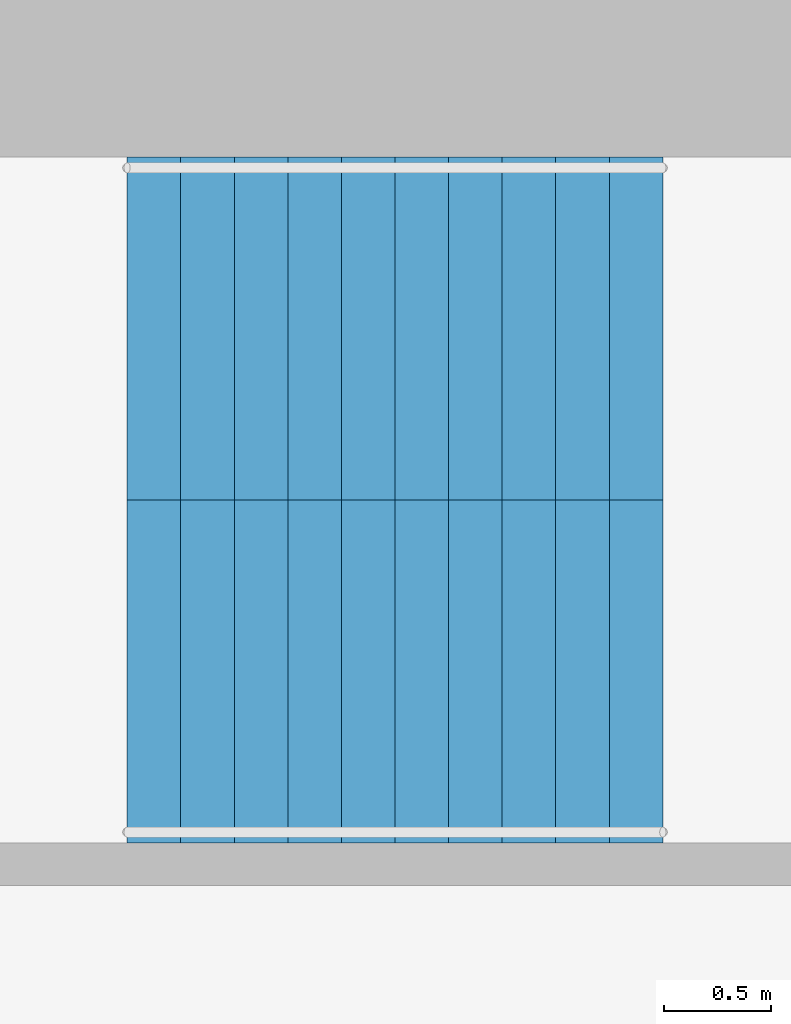
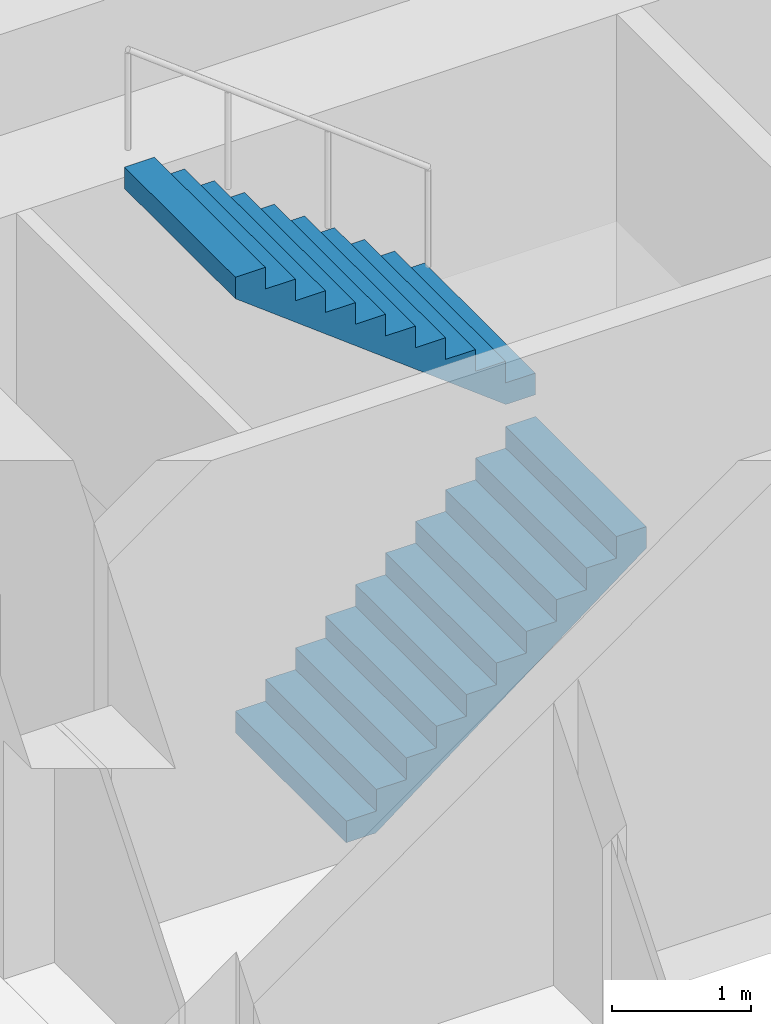
# One storey, part 9 of 17: 2 stair flights, 1 element without a shape of its own.
"""IFC4 building model written with IfcOpenShell, lengths in metres."""

import ifcopenshell
import ifcopenshell.guid

model = None  # the IFC model being written
_history = None  # IfcOwnerHistory: only IFC2X3 demands one
_inside = {}  # id of a spatial element -> (the spatial element, [elements in it])
_under = {}  # id of a project, library or spatial element -> (it, [spatial elements below it])
_declared = {}  # id of a project -> (the project, [libraries it declares])
_typed = {}  # id of a type object -> (the type object, [elements of that type])
_made_of = {}  # id of a material, layer set ... -> (it, [elements and type objects made of it])


def new_model(schema):
    """Start an empty IFC model of exactly this schema.

    Asked for "IFC4X3", IfcOpenShell would pick the latest addendum, in which some entities
    have other attributes; the version numbers below select the first issue.
    IFC2X3 requires an IfcOwnerHistory on every rooted entity: one is made here for all.
    """
    global model, _history
    if schema == "IFC4X3":
        model = ifcopenshell.file(schema_version=(4, 3, 0, 0))
    else:
        model = ifcopenshell.file(schema=schema)
    _inside.clear()
    _under.clear()
    _declared.clear()
    _typed.clear()
    _made_of.clear()
    _history = None
    if model.schema == "IFC2X3":
        org = make("IfcOrganization", Name="unknown")
        user = make(
            "IfcPersonAndOrganization",
            ThePerson=make("IfcPerson", FamilyName="unknown"),
            TheOrganization=org,
        )
        app = make(
            "IfcApplication",
            ApplicationDeveloper=org,
            Version="unknown",
            ApplicationFullName="unknown",
            ApplicationIdentifier="unknown",
        )
        _history = make(
            "IfcOwnerHistory",
            OwningUser=user,
            OwningApplication=app,
            ChangeAction="ADDED",
            CreationDate=0,
        )
    return model


def make(cls, **values):
    """One entity of the class cls with the attributes given. An attribute that is None is left unset."""
    return model.create_entity(
        cls, **{name: value for name, value in values.items() if value is not None}
    )


def rooted(cls, **values):
    """An entity with a GlobalId (a new one), such as an element, a storey or a relation."""
    return make(cls, GlobalId=ifcopenshell.guid.new(), OwnerHistory=_history, **values)


def si_unit(unit_type, name, prefix=None):
    """IfcSIUnit, for example si_unit("LENGTHUNIT", "METRE", prefix="MILLI")."""
    return make("IfcSIUnit", UnitType=unit_type, Prefix=prefix, Name=name)


def assignment(units):
    """IfcUnitAssignment: the units of a project."""
    return None if units is None else make("IfcUnitAssignment", Units=units)


def point(xyz):
    """IfcCartesianPoint."""
    return None if xyz is None else make("IfcCartesianPoint", Coordinates=xyz)


def direction(xyz):
    """IfcDirection."""
    return None if xyz is None else make("IfcDirection", DirectionRatios=xyz)


def frame(location, z_axis=None, x_axis=None):
    """IfcAxis2Placement3D, a coordinate frame: its origin and axes. An axis left out is left unset."""
    return make(
        "IfcAxis2Placement3D",
        Location=point(location),
        Axis=direction(z_axis),
        RefDirection=direction(x_axis),
    )


def origin():
    """The frame at (0, 0, 0) with its axes left unset."""
    return frame((0.0, 0.0, 0.0))


def place(relative_to, where):
    """IfcLocalPlacement: puts the frame where relative to a parent placement (None: the world)."""
    return make(
        "IfcLocalPlacement", PlacementRelTo=relative_to, RelativePlacement=where
    )


def context(
    kind, dimensions, precision=None, world=None, true_north=None, identifier=None
):
    """IfcGeometricRepresentationContext, for example the 3D "Model" context."""
    return make(
        "IfcGeometricRepresentationContext",
        ContextIdentifier=identifier,
        ContextType=kind,
        CoordinateSpaceDimension=dimensions,
        Precision=precision,
        WorldCoordinateSystem=world,
        TrueNorth=true_north,
    )


def subcontext(parent, identifier, kind, view, scale=None):
    """IfcGeometricRepresentationSubContext, for example "Body" below "Model"."""
    return make(
        "IfcGeometricRepresentationSubContext",
        ContextIdentifier=identifier,
        ContextType=kind,
        ParentContext=parent,
        TargetScale=scale,
        TargetView=view,
    )


def project(units=None, contexts=None):
    """IfcProject with its units and contexts."""
    return rooted(
        "IfcProject",
        Name="project",
        RepresentationContexts=contexts,
        UnitsInContext=assignment(units),
    )


def spatial(cls, under=None, at=None, **own):
    """A site, building, storey or space (cls), placed at a placement, below another one or the project."""
    s = rooted(cls, ObjectPlacement=at, **own)
    if under is not None:
        _under.setdefault(under.id(), (under, []))[1].append(s)
    return s


def polyline(points):
    """IfcPolyline through the points."""
    return make("IfcPolyline", Points=[point(p) for p in points])


def outline(outer, holes=None, kind="AREA"):
    """IfcArbitraryClosedProfileDef: a profile drawn as a closed curve; with holes, ...WithVoids."""
    if holes is None:
        return make("IfcArbitraryClosedProfileDef", ProfileType=kind, OuterCurve=outer)
    return make(
        "IfcArbitraryProfileDefWithVoids",
        ProfileType=kind,
        OuterCurve=outer,
        InnerCurves=holes,
    )


def extrude(swept, where, along, depth):
    """IfcExtrudedAreaSolid: the profile swept, set in the frame where, extruded along a direction by depth."""
    return make(
        "IfcExtrudedAreaSolid",
        SweptArea=swept,
        Position=where,
        ExtrudedDirection=direction(along),
        Depth=depth,
    )


def shape(context_of_items, identifier, shape_type, items):
    """IfcShapeRepresentation: the items that make up one representation, for example the "Body"."""
    return make(
        "IfcShapeRepresentation",
        ContextOfItems=context_of_items,
        RepresentationIdentifier=identifier,
        RepresentationType=shape_type,
        Items=items,
    )


def material(Name=None, Category=None):
    """IfcMaterial."""
    return make("IfcMaterial", Name=Name, Category=Category)


def made_of(thing, what):
    """Note that an element or type object is made of a material, layer set ...; save() writes the relation."""
    if what is not None:
        _made_of.setdefault(what.id(), (what, []))[1].append(thing)
    return thing


def type_object(cls, material=None, **own):
    """A type object (cls), such as IfcWallType, which elements share."""
    return made_of(rooted(cls, **own), material)


def element(
    cls,
    number,
    at=None,
    inside=None,
    cuts=None,
    type_object=None,
    material=None,
    context=None,
    identifier="Body",
    shape_type=None,
    held_by="IfcProductDefinitionShape",
    body=None,
    shapes=None,
    **own,
):
    """One element of the class cls, such as IfcWall. Its Tag is "e" and its number.

    at: its placement. inside: the storey or other place that contains it. cuts: it is an
    opening in that element (IfcRelVoidsElement). A single representation is given by context,
    identifier, shape_type and body (its items); several are given by shapes. held_by: the class
    of the entity that holds the representations. save() writes the other relations.
    """
    e = rooted(cls, Tag="e%d" % number, ObjectPlacement=at, **own)
    if body is not None:
        shapes = [shape(context, identifier, shape_type, body)]
    if shapes is not None:
        e.Representation = make(held_by, Representations=shapes)
    if inside is not None:
        _inside.setdefault(inside.id(), (inside, []))[1].append(e)
    if cuts is not None:
        rooted(
            "IfcRelVoidsElement", RelatingBuildingElement=cuts, RelatedOpeningElement=e
        )
    if type_object is not None:
        _typed.setdefault(type_object.id(), (type_object, []))[1].append(e)
    return made_of(e, material)


def aggregate(whole, parts):
    """IfcRelAggregates: a whole, such as a stair, and the parts it consists of."""
    return rooted("IfcRelAggregates", RelatingObject=whole, RelatedObjects=parts)


def save(model, path):
    """Write the relations noted so far, then the file.

    IfcRelAggregates (storeys below a building ...), IfcRelContainedInSpatialStructure (elements
    in a storey), IfcRelDefinesByType, IfcRelAssociatesMaterial and IfcRelDeclares: one each for
    every whole, place, type object, material and project.
    """
    for whole, parts in _under.values():
        aggregate(whole, parts)
    for where, things in _inside.values():
        rooted(
            "IfcRelContainedInSpatialStructure",
            RelatedElements=things,
            RelatingStructure=where,
        )
    for kind, things in _typed.values():
        rooted("IfcRelDefinesByType", RelatedObjects=things, RelatingType=kind)
    for what, things in _made_of.values():
        rooted("IfcRelAssociatesMaterial", RelatedObjects=things, RelatingMaterial=what)
    for by, libraries in _declared.values():
        rooted("IfcRelDeclares", RelatingContext=by, RelatedDefinitions=libraries)
    model.write(path)


model = new_model("IFC4")

# Units and contexts
model_context = context("Model", 3, precision=1e-05, world=origin(), true_north=direction((0.0, 1.0)))
body_context = subcontext(model_context, "Body", "Model", "MODEL_VIEW")
ifc_project = project(units=[si_unit("LENGTHUNIT", "METRE"), si_unit("AREAUNIT", "SQUARE_METRE"), si_unit("VOLUMEUNIT", "CUBIC_METRE"), si_unit("PLANEANGLEUNIT", "RADIAN"), si_unit("MASSUNIT", "GRAM", prefix="KILO")], contexts=[model_context])

# Site, building, storey
site_placement = place(None, origin())
site = spatial("IfcSite", under=ifc_project, at=site_placement, CompositionType="ELEMENT")
building_placement = place(site_placement, origin())
building = spatial("IfcBuilding", under=site, at=building_placement, Name="Taillehof Tower", CompositionType="ELEMENT")
storey_placement = place(building_placement, frame((0.0, 0.0, 17.5)))
storey = spatial("IfcBuildingStorey", under=building, at=storey_placement, Name="L03", CompositionType="ELEMENT", Elevation=17.5)

# Stair, stair flights
ifc_material_1 = material(Name="Concrete C40/50", Category="concrete")
stair_type = type_object("IfcStairType", Name="Exit stair half-turn", PredefinedType="HALF_TURN_STAIR", material=ifc_material_1)
stair_placement = place(storey_placement, origin())
stair = element("IfcStair", 1, at=stair_placement, inside=storey, type_object=stair_type, Name="Exit stair S1", PredefinedType="HALF_TURN_STAIR")
ifc_material_2 = material(Name="Concrete C40/50", Category="concrete")
stair_flight_type = type_object("IfcStairFlightType", Name="Stair flight 1600 riser 190.9 going 250", PredefinedType="STRAIGHT", material=ifc_material_2)
stair_flight_1_placement = place(storey_placement, frame((7.0, 6.699951171875, 0.0), z_axis=(0.0, 0.0, 1.0), x_axis=(1.0, 0.0, 0.0)))
stair_flight_1 = element("IfcStairFlight", 2, at=stair_flight_1_placement, type_object=stair_flight_type, Name="S1 flight 1", NumberOfRisers=11, NumberOfTreads=10, PredefinedType="STRAIGHT", RiserHeight=0.190909091, TreadLength=0.25, context=body_context, shape_type="SweptSolid", body=[
    extrude(outline(polyline([(0.0, 0.0), (0.0, 0.005615234375), (0.0, 0.01123046875), (0.0, 0.016845703125), (0.0, 0.0224609375), (0.0, 0.028076171875), (0.0, 0.03369140625), (0.0, 0.039306640625), (0.0, 0.044921875), (0.0, 0.050537109375), (0.0, 0.05615234375), (0.0, 0.061767578125), (0.0, 0.0673828125), (0.0, 0.072998046875), (0.0, 0.07861328125), (0.0, 0.084228515625), (0.0, 0.08984375), (0.0, 0.095458984375), (0.0, 0.10107421875), (0.0, 0.106689453125), (0.0, 0.1123046875), (0.0, 0.117919921875), (0.0, 0.12353515625), (0.0, 0.129150390625), (0.0, 0.134765625), (0.0, 0.140380859375), (0.0, 0.14599609375), (0.0, 0.151611328125), (0.0, 0.1572265625), (0.0, 0.162841796875), (0.0, 0.16845703125), (0.0, 0.174072265625), (0.0, 0.1796875), (0.0, 0.185302734375), (0.0, 0.19091796875), (0.25, 0.19091796875), (0.25, 0.3818359375), (0.5, 0.3818359375), (0.5, 0.57275390625), (0.75, 0.57275390625), (0.75, 0.763671875), (1.0, 0.763671875), (1.0, 0.95458984375), (1.25, 0.95458984375), (1.25, 1.1455078125), (1.5, 1.1455078125), (1.5, 1.33642578125), (1.75, 1.33642578125), (1.75, 1.52734375), (2.0, 1.52734375), (2.0, 1.71826171875), (2.25, 1.71826171875), (2.25, 1.9091796875), (2.5, 1.9091796875), (2.5, 1.903564453125), (2.5, 1.89794921875), (2.5, 1.892333984375), (2.5, 1.886962890625), (2.5, 1.88134765625), (2.5, 1.875732421875), (2.5, 1.870361328125), (2.5, 1.86474609375), (2.5, 1.859130859375), (2.5, 1.853515625), (2.5, 1.84814453125), (2.5, 1.842529296875), (2.5, 1.8369140625), (2.5, 1.83154296875), (2.5, 1.825927734375), (2.5, 1.8203125), (2.5, 1.814697265625), (2.5, 1.809326171875), (2.5, 1.8037109375), (2.5, 1.798095703125), (2.5, 1.79248046875), (2.5, 1.787109375), (2.5, 1.781494140625), (2.5, 1.77587890625), (2.5, 1.7705078125), (2.5, 1.764892578125), (2.5, 1.75927734375), (2.5, 1.753662109375), (2.5, 1.748291015625), (2.5, 1.74267578125), (2.5, 1.737060546875), (2.5, 1.731689453125), (2.5, 1.72607421875), (2.5, 1.720458984375), (0.2470703125, 0.0), (0.0, 0.0)])), frame((0.0, 0.800048828125, 0.0), z_axis=(0.0, -1.0, 0.0), x_axis=(1.0, 0.0, 0.0)), (0.0, 0.0, 1.0), 1.6),
])
stair_flight_2_placement = place(storey_placement, frame((9.5, 8.300048828125, 2.10009765625), z_axis=(0.0, 0.0, 1.0), x_axis=(-1.0, 0.0, 0.0)))
stair_flight_2 = element("IfcStairFlight", 3, at=stair_flight_2_placement, type_object=stair_flight_type, Name="S1 flight 2", NumberOfRisers=11, NumberOfTreads=10, PredefinedType="STRAIGHT", RiserHeight=0.190909091, TreadLength=0.25, context=body_context, shape_type="SweptSolid", body=[
    extrude(outline(polyline([(0.0, 0.0), (0.0, 0.005615234375), (0.0, 0.01123046875), (0.0, 0.016845703125), (0.0, 0.0224609375), (0.0, 0.028076171875), (0.0, 0.03369140625), (0.0, 0.039306640625), (0.0, 0.044921875), (0.0, 0.050537109375), (0.0, 0.05615234375), (0.0, 0.061767578125), (0.0, 0.0673828125), (0.0, 0.072998046875), (0.0, 0.07861328125), (0.0, 0.084228515625), (0.0, 0.08984375), (0.0, 0.095458984375), (0.0, 0.10107421875), (0.0, 0.106689453125), (0.0, 0.1123046875), (0.0, 0.117919921875), (0.0, 0.12353515625), (0.0, 0.129150390625), (0.0, 0.134765625), (0.0, 0.140380859375), (0.0, 0.14599609375), (0.0, 0.151611328125), (0.0, 0.1572265625), (0.0, 0.162841796875), (0.0, 0.16845703125), (0.0, 0.174072265625), (0.0, 0.1796875), (0.0, 0.185302734375), (0.0, 0.19091796875), (0.25, 0.19091796875), (0.25, 0.3818359375), (0.5, 0.3818359375), (0.5, 0.57275390625), (0.75, 0.57275390625), (0.75, 0.763671875), (1.0, 0.763671875), (1.0, 0.95458984375), (1.25, 0.95458984375), (1.25, 1.1455078125), (1.5, 1.1455078125), (1.5, 1.33642578125), (1.75, 1.33642578125), (1.75, 1.52734375), (2.0, 1.52734375), (2.0, 1.71826171875), (2.25, 1.71826171875), (2.25, 1.9091796875), (2.5, 1.9091796875), (2.5, 1.903564453125), (2.5, 1.89794921875), (2.5, 1.892333984375), (2.5, 1.886962890625), (2.5, 1.88134765625), (2.5, 1.875732421875), (2.5, 1.870361328125), (2.5, 1.86474609375), (2.5, 1.859130859375), (2.5, 1.853515625), (2.5, 1.84814453125), (2.5, 1.842529296875), (2.5, 1.8369140625), (2.5, 1.83154296875), (2.5, 1.825927734375), (2.5, 1.8203125), (2.5, 1.814697265625), (2.5, 1.809326171875), (2.5, 1.8037109375), (2.5, 1.798095703125), (2.5, 1.79248046875), (2.5, 1.787109375), (2.5, 1.781494140625), (2.5, 1.77587890625), (2.5, 1.7705078125), (2.5, 1.764892578125), (2.5, 1.75927734375), (2.5, 1.753662109375), (2.5, 1.748291015625), (2.5, 1.74267578125), (2.5, 1.737060546875), (2.5, 1.731689453125), (2.5, 1.72607421875), (2.5, 1.720458984375), (0.2470703125, 0.0), (0.0, 0.0)])), frame((0.0, 0.800048828125, 0.0), z_axis=(0.0, -1.0, 0.0), x_axis=(1.0, 0.0, 0.0)), (0.0, 0.0, 1.0), 1.6),
])
aggregate(stair, [stair_flight_1, stair_flight_2])

save(model, "model.ifc")
